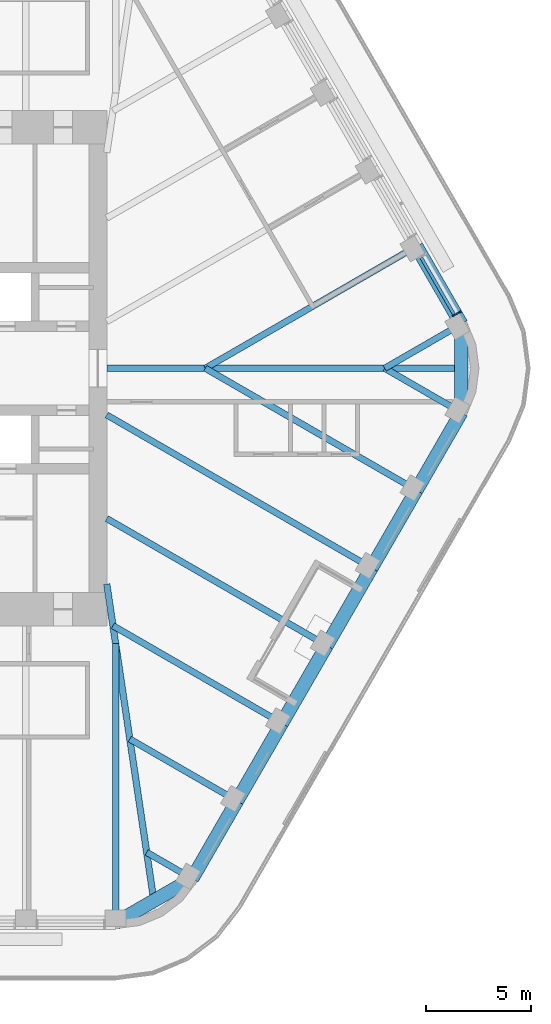
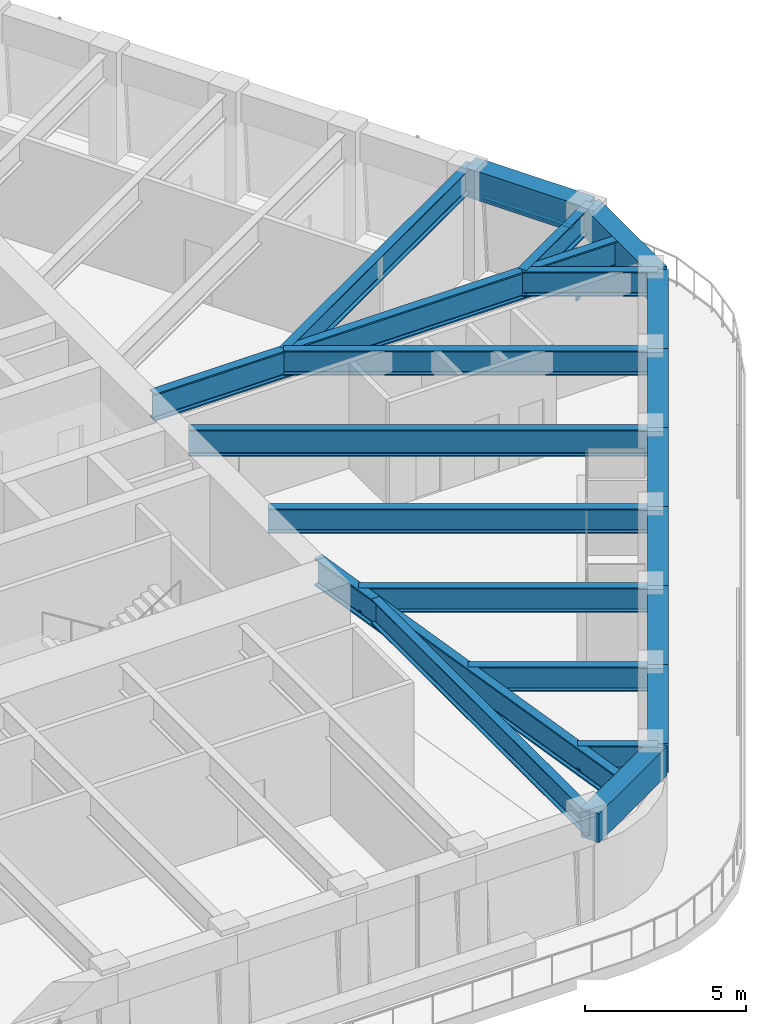
# One storey, part 5 of 19: 21 beams, 2 members, 1 element without a shape of its own.
"""IFC4 building model written with IfcOpenShell, lengths in metres."""

from ifc_helpers import new_model, si_unit, direction, frame, origin, origin_2d, place, context, subcontext, project, spatial, rectangle, i_section, extrude, material, material_profile, profile_set, type_object, element, aggregate, save


model = new_model("IFC4")

# Units and contexts
model_context = context("Model", 3, precision=1e-05, world=origin(), true_north=direction((0.0, 1.0)))
body_context = subcontext(model_context, "Body", "Model", "MODEL_VIEW")
ifc_project = project(units=[si_unit("LENGTHUNIT", "METRE"), si_unit("AREAUNIT", "SQUARE_METRE"), si_unit("VOLUMEUNIT", "CUBIC_METRE"), si_unit("PLANEANGLEUNIT", "RADIAN"), si_unit("MASSUNIT", "GRAM", prefix="KILO")], contexts=[model_context])

# Site, building, storey
site_placement = place(None, origin())
site = spatial("IfcSite", under=ifc_project, at=site_placement, CompositionType="ELEMENT")
building_placement = place(site_placement, origin())
building = spatial("IfcBuilding", under=site, at=building_placement, Name="Tarfa Lantern Tower", CompositionType="ELEMENT")
storey_placement = place(building_placement, frame((0.0, 0.0, 340.89990234375)))
storey = spatial("IfcBuildingStorey", under=building, at=storey_placement, Name="L77", CompositionType="ELEMENT", Elevation=340.89990234375)

# Curtain wall, members
ifc_material_1 = material(Name="Aluminium framed curtain wall", Category="aluminium")
curtain_wall_type = type_object("IfcCurtainWallType", Name="CW4 CANTED GLAZING EXECUTIVE ZONE 2900", PredefinedType="USERDEFINED", material=ifc_material_1)
curtain_wall_placement = place(storey_placement, origin())
curtain_wall = element("IfcCurtainWall", 1, at=curtain_wall_placement, inside=storey, type_object=curtain_wall_type, Name="CW4 NE L77", ObjectType="CURTAIN WALL", PredefinedType="USERDEFINED")
ifc_material_2 = material(Name="Aluminium mullion", Category="aluminium")
ifc_material_profile_1 = material_profile(ifc_material_2, rectangle(XDim=0.06494140625, YDim=0.199951171875, at=origin_2d()), Name="AL MULLION 65x200")
ifc_profile_set_1 = profile_set([ifc_material_profile_1], Name="Aluminium mullion")
member_type_1 = type_object("IfcMemberType", Name="CWM1 MULLION 65x200", PredefinedType="MULLION", material=ifc_profile_set_1)
member_1_placement = place(storey_placement, frame((29.236328125, 2.6611328125, 0.0), z_axis=(-0.074393603155, -0.042941967097, 0.996303959277), x_axis=(0.499919672301, -0.866071776036, 0.0)))
member_1 = element("IfcMember", 2, at=member_1_placement, type_object=member_type_1, Name="CW4 mullion 1", PredefinedType="MULLION", context=body_context, shape_type="SweptSolid", body=[
    extrude(rectangle(XDim=0.06494140625, YDim=0.199951171875, at=origin_2d()), origin(), (0.0, 0.0, 1.0), 2.910888671875),
])
ifc_material_3 = material(Name="Aluminium transom", Category="aluminium")
ifc_material_profile_2 = material_profile(ifc_material_3, rectangle(XDim=0.14990234375, YDim=0.06494140625, at=origin_2d()), Name="AL TRANSOM 150x65")
ifc_profile_set_2 = profile_set([ifc_material_profile_2], Name="Aluminium transom")
member_type_2 = type_object("IfcMemberType", Name="CWT1 TRANSOM 150x65", PredefinedType="USERDEFINED", material=ifc_profile_set_2)
member_2_placement = place(storey_placement, frame((29.006103515625, 2.565673828125, 2.86767578125), z_axis=(-0.500037562771, 0.866003715822, 0.0), x_axis=(-0.866003715822, -0.500037562771, 0.0)))
member_2 = element("IfcMember", 3, at=member_2_placement, type_object=member_type_2, Name="CW4 transom 1.2", ObjectType="TRANSOM", PredefinedType="USERDEFINED", context=body_context, shape_type="SweptSolid", body=[
    extrude(rectangle(XDim=0.14990234375, YDim=0.06494140625, at=origin_2d()), origin(), (0.0, 0.0, 1.0), 3.152099609375),
])
aggregate(curtain_wall, [member_1, member_2])

# Beams
ifc_material_4 = material(Name="Concrete C80/95", Category="concrete")
ifc_material_profile_3 = material_profile(ifc_material_4, rectangle(XDim=0.64990234375, YDim=1.10009765625, at=origin_2d()), Name="RC 650x1100")
ifc_profile_set_3 = profile_set([ifc_material_profile_3], Name="Concrete C80/95")
beam_type_1 = type_object("IfcBeamType", Name="EB4 RC 650x1100", PredefinedType="SPANDREL", material=ifc_profile_set_3)
beam_1_placement = place(storey_placement, frame((29.3466796875, 2.110107421875, 3.4501953125), z_axis=(-0.499984039138, 0.866034618596, 0.0), x_axis=(-0.866034618596, -0.499984039138, 0.0)))
element("IfcBeam", 4, at=beam_1_placement, inside=storey, type_object=beam_type_1, Name="Edge beam NE0", PredefinedType="SPANDREL", context=body_context, shape_type="SweptSolid", body=[
    extrude(rectangle(XDim=0.64990234375, YDim=1.10009765625, at=origin_2d()), origin(), (0.0, 0.0, 1.0), 4.281982421875),
])
beam_2_placement = place(storey_placement, frame((12.845947265625, -26.469970703125, 3.4501953125), z_axis=(0.866048788483, 0.499959494327, 0.0), x_axis=(-0.499959494327, 0.866048788483, 0.0)))
element("IfcBeam", 5, at=beam_2_placement, inside=storey, type_object=beam_type_1, Name="Edge beam S6", PredefinedType="SPANDREL", context=body_context, shape_type="SweptSolid", body=[
    extrude(rectangle(XDim=0.64990234375, YDim=1.10009765625, at=origin_2d()), origin(), (0.0, 0.0, 1.0), 4.219970703125),
])
for number, where, z_axis, x_axis, name in (
    (6, (16.500732421875, -24.360107421875, 3.4501953125), (0.499959351497, 0.866048870937, 0.0), (-0.866048870937, 0.499959351497, 0.0), "Edge beam SE0"),
    (7, (18.6416015625, -20.651611328125, 3.4501953125), (0.500026801138, 0.866009929587, 0.0), (-0.866009929587, 0.500026801138, 0.0), "Edge beam SE1"),
    (8, (20.78271484375, -16.943359375, 3.4501953125), (0.499984039138, 0.866034618596, 0.0), (-0.866034618596, 0.499984039138, 0.0), "Edge beam SE2"),
):
    element("IfcBeam", number, at=place(storey_placement, frame(where, z_axis=z_axis, x_axis=x_axis)), inside=storey, type_object=beam_type_1, Name=name, PredefinedType="SPANDREL", context=body_context, shape_type="SweptSolid", body=[
        extrude(rectangle(XDim=0.64990234375, YDim=1.10009765625, at=origin_2d()), origin(), (0.0, 0.0, 1.0), 4.281982421875),
    ])
beam_3_placement = place(storey_placement, frame((22.923583984375, -13.235107421875, 3.4501953125), z_axis=(0.500002112793, 0.866024183959, 0.0), x_axis=(-0.866024183959, 0.500002112793, 0.0)))
element("IfcBeam", 9, at=beam_3_placement, inside=storey, type_object=beam_type_1, Name="Edge beam SE3", PredefinedType="SPANDREL", context=body_context, shape_type="SweptSolid", body=[
    extrude(rectangle(XDim=0.64990234375, YDim=1.10009765625, at=origin_2d()), origin(), (0.0, 0.0, 1.0), 4.2822265625),
])
for number, where, z_axis, x_axis, name in (
    (10, (25.064697265625, -9.526611328125, 3.4501953125), (0.500026801138, 0.866009929587, 0.0), (-0.866009929587, 0.500026801138, 0.0), "Edge beam SE4"),
    (11, (27.205810546875, -5.818359375, 3.4501953125), (0.499984039138, 0.866034618596, 0.0), (-0.866034618596, 0.499984039138, 0.0), "Edge beam SE5"),
):
    element("IfcBeam", number, at=place(storey_placement, frame(where, z_axis=z_axis, x_axis=x_axis)), inside=storey, type_object=beam_type_1, Name=name, PredefinedType="SPANDREL", context=body_context, shape_type="SweptSolid", body=[
        extrude(rectangle(XDim=0.64990234375, YDim=1.10009765625, at=origin_2d()), origin(), (0.0, 0.0, 1.0), 4.281982421875),
    ])
beam_4_placement = place(storey_placement, frame((29.3466796875, -2.110107421875, 3.4501953125), z_axis=(0.0, 1.0, 0.0), x_axis=(-1.0, 0.0, 0.0)))
element("IfcBeam", 12, at=beam_4_placement, inside=storey, type_object=beam_type_1, Name="Edge beam SE6", PredefinedType="SPANDREL", context=body_context, shape_type="SweptSolid", body=[
    extrude(rectangle(XDim=0.64990234375, YDim=1.10009765625, at=origin_2d()), origin(), (0.0, 0.0, 1.0), 4.22021484375),
])
ifc_material_5 = material(Name="Steel S460M", Category="steel")
ifc_material_profile_4 = material_profile(ifc_material_5, i_section(OverallWidth=0.302001953125, OverallDepth=1.008056640625, WebThickness=0.02099609375, FlangeThickness=0.0400390625, FilletRadius=0.030029296875, at=origin_2d()), Name="UB1016x305x349")
ifc_profile_set_4 = profile_set([ifc_material_profile_4], Name="Steel S460M")
beam_type_2 = type_object("IfcBeamType", Name="UB1016x305x349", PredefinedType="BEAM", material=ifc_profile_set_4)
beam_5_placement = place(storey_placement, frame((25.064697265625, -9.526611328125, 3.49609375), z_axis=(-0.866029591389, 0.499992746786, 0.0), x_axis=(-0.499992746786, -0.866029591389, 0.0)))
element("IfcBeam", 13, at=beam_5_placement, inside=storey, type_object=beam_type_2, Name="Floor beam SE4", PredefinedType="BEAM", context=body_context, shape_type="SweptSolid", body=[
    extrude(i_section(OverallWidth=0.302001953125, OverallDepth=1.008056640625, WebThickness=0.02099609375, FlangeThickness=0.0400390625, FilletRadius=0.030029296875, at=origin_2d()), origin(), (0.0, 0.0, 1.0), 14.594970703125),
])
ifc_material_profile_5 = material_profile(ifc_material_5, i_section(OverallWidth=0.30859375, OverallDepth=1.036376953125, WebThickness=0.030029296875, FlangeThickness=0.05419921875, FilletRadius=0.030029296875, at=origin_2d()), Name="UB1016x305x487")
ifc_profile_set_5 = profile_set([ifc_material_profile_5], Name="Steel S460M")
beam_type_3 = type_object("IfcBeamType", Name="UB1016x305x487", PredefinedType="BEAM", material=ifc_profile_set_5)
beam_6_placement = place(storey_placement, frame((12.425048828125, 0.0, 3.48193359375), z_axis=(1.0, 0.0, 0.0), x_axis=(0.0, 1.0, 0.0)))
element("IfcBeam", 14, at=beam_6_placement, inside=storey, type_object=beam_type_3, Name="Hip girder E", PredefinedType="BEAM", context=body_context, shape_type="SweptSolid", body=[
    extrude(i_section(OverallWidth=0.30859375, OverallDepth=1.036376953125, WebThickness=0.030029296875, FlangeThickness=0.05419921875, FilletRadius=0.030029296875, at=origin_2d()), origin(), (0.0, 0.0, 1.0), 16.921630859375),
])
beam_7_placement = place(storey_placement, frame((12.425048828125, -10.300048828125, 3.48193359375), z_axis=(0.147127069073, -0.989117599452, 0.0), x_axis=(0.989117599452, 0.147127069073, 0.0)))
element("IfcBeam", 15, at=beam_7_placement, inside=storey, type_object=beam_type_3, Name="Hip girder SE", PredefinedType="BEAM", context=body_context, shape_type="SweptSolid", body=[
    extrude(i_section(OverallWidth=0.30859375, OverallDepth=1.036376953125, WebThickness=0.030029296875, FlangeThickness=0.05419921875, FilletRadius=0.030029296875, at=origin_2d()), origin(), (0.0, 0.0, 1.0), 15.28125),
])
ifc_material_profile_6 = material_profile(ifc_material_5, i_section(OverallWidth=0.305419921875, OverallDepth=0.91845703125, WebThickness=0.017333984375, FlangeThickness=0.02783203125, FilletRadius=0.01904296875, at=origin_2d()), Name="UB914x305x253")
ifc_profile_set_6 = profile_set([ifc_material_profile_6], Name="Steel S460M")
beam_type_4 = type_object("IfcBeamType", Name="UB914x305x253", PredefinedType="BEAM", material=ifc_profile_set_6)
beam_8_placement = place(storey_placement, frame((29.3466796875, 2.110107421875, 3.541015625), z_axis=(-0.866009274789, -0.500027935199, 0.0), x_axis=(0.500027935199, -0.866009274789, 0.0)))
element("IfcBeam", 16, at=beam_8_placement, inside=storey, type_object=beam_type_4, Name="Floor beam NE0", PredefinedType="BEAM", context=body_context, shape_type="SweptSolid", body=[
    extrude(i_section(OverallWidth=0.305419921875, OverallDepth=0.91845703125, WebThickness=0.017333984375, FlangeThickness=0.02783203125, FilletRadius=0.01904296875, at=origin_2d()), origin(), (0.0, 0.0, 1.0), 4.219970703125),
])
beam_9_placement = place(storey_placement, frame((27.205810546875, 5.818359375, 3.541015625), z_axis=(-0.866024171998, -0.500002133511, 0.0), x_axis=(0.500002133511, -0.866024171998, 0.0)))
element("IfcBeam", 17, at=beam_9_placement, inside=storey, type_object=beam_type_4, Name="Floor beam NE1", PredefinedType="BEAM", context=body_context, shape_type="SweptSolid", body=[
    extrude(i_section(OverallWidth=0.305419921875, OverallDepth=0.91845703125, WebThickness=0.017333984375, FlangeThickness=0.02783203125, FilletRadius=0.01904296875, at=origin_2d()), origin(), (0.0, 0.0, 1.0), 11.63671875),
])
beam_10_placement = place(storey_placement, frame((12.845947265625, -26.469970703125, 3.541015625), z_axis=(0.0, 1.0, 0.0), x_axis=(-1.0, 0.0, 0.0)))
element("IfcBeam", 18, at=beam_10_placement, inside=storey, type_object=beam_type_4, Name="Floor beam S6", PredefinedType="BEAM", context=body_context, shape_type="SweptSolid", body=[
    extrude(i_section(OverallWidth=0.305419921875, OverallDepth=0.91845703125, WebThickness=0.017333984375, FlangeThickness=0.02783203125, FilletRadius=0.01904296875, at=origin_2d()), origin(), (0.0, 0.0, 1.0), 13.33935546875),
])
beam_11_placement = place(storey_placement, frame((16.500732421875, -24.360107421875, 3.541015625), z_axis=(-0.865992557167, 0.500056887695, 0.0), x_axis=(-0.500056887695, -0.865992557167, 0.0)))
element("IfcBeam", 19, at=beam_11_placement, inside=storey, type_object=beam_type_4, Name="Floor beam SE0", PredefinedType="BEAM", context=body_context, shape_type="SweptSolid", body=[
    extrude(i_section(OverallWidth=0.305419921875, OverallDepth=0.91845703125, WebThickness=0.017333984375, FlangeThickness=0.02783203125, FilletRadius=0.01904296875, at=origin_2d()), origin(), (0.0, 0.0, 1.0), 2.506591796875),
])
beam_12_placement = place(storey_placement, frame((18.6416015625, -20.651611328125, 3.541015625), z_axis=(-0.866024549157, 0.500001480256, 0.0), x_axis=(-0.500001480256, -0.866024549157, 0.0)))
element("IfcBeam", 20, at=beam_12_placement, inside=storey, type_object=beam_type_4, Name="Floor beam SE1", PredefinedType="BEAM", context=body_context, shape_type="SweptSolid", body=[
    extrude(i_section(OverallWidth=0.305419921875, OverallDepth=0.91845703125, WebThickness=0.017333984375, FlangeThickness=0.02783203125, FilletRadius=0.01904296875, at=origin_2d()), origin(), (0.0, 0.0, 1.0), 5.90771484375),
])
beam_13_placement = place(storey_placement, frame((20.78271484375, -16.943359375, 3.541015625), z_axis=(-0.866021806508, 0.500006230613, 0.0), x_axis=(-0.500006230613, -0.866021806508, 0.0)))
element("IfcBeam", 21, at=beam_13_placement, inside=storey, type_object=beam_type_4, Name="Floor beam SE2", PredefinedType="BEAM", context=body_context, shape_type="SweptSolid", body=[
    extrude(i_section(OverallWidth=0.305419921875, OverallDepth=0.91845703125, WebThickness=0.017333984375, FlangeThickness=0.02783203125, FilletRadius=0.01904296875, at=origin_2d()), origin(), (0.0, 0.0, 1.0), 9.30908203125),
])
beam_14_placement = place(storey_placement, frame((22.923583984375, -13.235107421875, 3.541015625), z_axis=(-0.86601856927, 0.500011837539, 0.0), x_axis=(-0.500011837539, -0.86601856927, 0.0)))
element("IfcBeam", 22, at=beam_14_placement, inside=storey, type_object=beam_type_4, Name="Floor beam SE3", PredefinedType="BEAM", context=body_context, shape_type="SweptSolid", body=[
    extrude(i_section(OverallWidth=0.305419921875, OverallDepth=0.91845703125, WebThickness=0.017333984375, FlangeThickness=0.02783203125, FilletRadius=0.01904296875, at=origin_2d()), origin(), (0.0, 0.0, 1.0), 12.122802734375),
])
beam_15_placement = place(storey_placement, frame((27.205810546875, -5.818359375, 3.541015625), z_axis=(-0.866024171998, 0.500002133511, 0.0), x_axis=(-0.500002133511, -0.866024171998, 0.0)))
element("IfcBeam", 23, at=beam_15_placement, inside=storey, type_object=beam_type_4, Name="Floor beam SE5", PredefinedType="BEAM", context=body_context, shape_type="SweptSolid", body=[
    extrude(i_section(OverallWidth=0.305419921875, OverallDepth=0.91845703125, WebThickness=0.017333984375, FlangeThickness=0.02783203125, FilletRadius=0.01904296875, at=origin_2d()), origin(), (0.0, 0.0, 1.0), 11.63671875),
])
beam_16_placement = place(storey_placement, frame((29.3466796875, -2.110107421875, 3.541015625), z_axis=(-0.866009274789, 0.500027935199, 0.0), x_axis=(-0.500027935199, -0.866009274789, 0.0)))
element("IfcBeam", 24, at=beam_16_placement, inside=storey, type_object=beam_type_4, Name="Floor beam SE6", PredefinedType="BEAM", context=body_context, shape_type="SweptSolid", body=[
    extrude(i_section(OverallWidth=0.305419921875, OverallDepth=0.91845703125, WebThickness=0.017333984375, FlangeThickness=0.02783203125, FilletRadius=0.01904296875, at=origin_2d()), origin(), (0.0, 0.0, 1.0), 4.219970703125),
])

save(model, "model.ifc")
